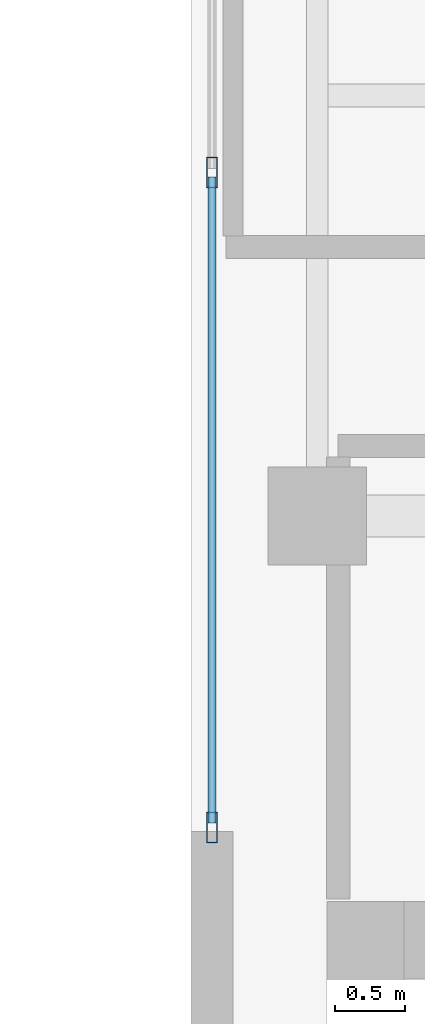
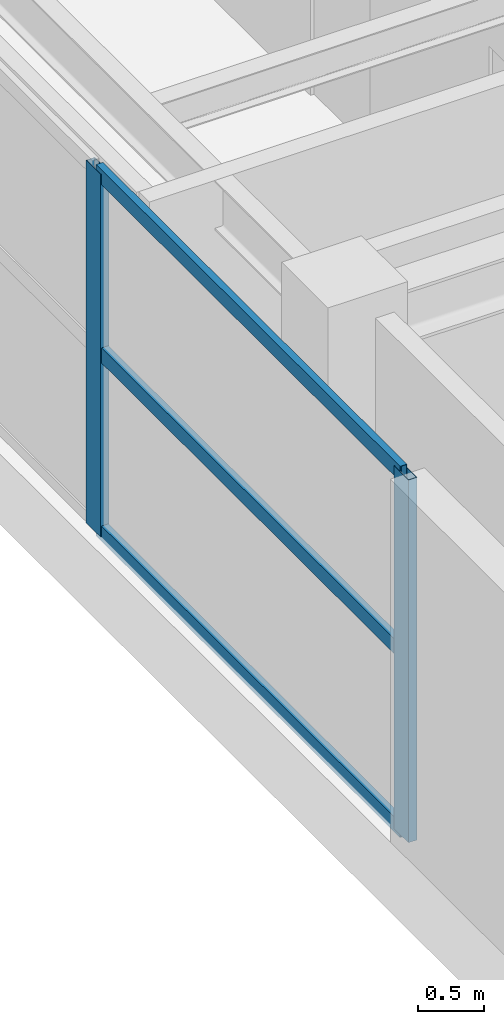
# One storey, part 10 of 24: 5 members, 1 element without a shape of its own.
"""IFC4 building model written with IfcOpenShell, lengths in metres."""

from ifc_helpers import new_model, si_unit, direction, frame, origin, origin_2d, place, context, subcontext, project, spatial, hollow_rectangle, extrude, source, transform, mapped, material, layer, layer_set, material_profile, profile_set, type_object, element, aggregate, save


model = new_model("IFC4")

# Units and contexts
model_context = context("Model", 3, precision=1e-05, world=origin(), true_north=direction((0.0, 1.0)))
body_context = subcontext(model_context, "Body", "Model", "MODEL_VIEW")
ifc_project = project(units=[si_unit("LENGTHUNIT", "METRE"), si_unit("AREAUNIT", "SQUARE_METRE"), si_unit("VOLUMEUNIT", "CUBIC_METRE"), si_unit("PLANEANGLEUNIT", "RADIAN"), si_unit("MASSUNIT", "GRAM", prefix="KILO")], contexts=[model_context])

# Site, building, storey
site_placement = place(None, origin())
site = spatial("IfcSite", under=ifc_project, at=site_placement, CompositionType="ELEMENT")
building_placement = place(site_placement, origin())
building = spatial("IfcBuilding", under=site, at=building_placement, Name="Khoralis Quay Care Tower", CompositionType="ELEMENT")
storey_placement = place(building_placement, frame((0.0, 0.0, 227.699951171875)))
storey = spatial("IfcBuildingStorey", under=building, at=storey_placement, Name="L59", CompositionType="ELEMENT", Elevation=227.699951171875)

# Curtain wall, members
ifc_material = material(Name="Pale anodised aluminium", Category="aluminium")
ifc_layer = layer(ifc_material, 0.18994140625)
ifc_layer_set = layer_set([ifc_layer], Name="Pale anodised aluminium")
curtain_wall_type = type_object("IfcCurtainWallType", Name="CW-SYS-PORTAL", PredefinedType="NOTDEFINED", material=ifc_layer_set)
curtain_wall_placement = place(storey_placement, origin())
curtain_wall = element("IfcCurtainWall", 1, at=curtain_wall_placement, inside=storey, type_object=curtain_wall_type, Name="L59 Unitised Curtain Wall CW-VP-L59-P2-N", PredefinedType="NOTDEFINED")
ifc_material_profile_1 = material_profile(ifc_material, hollow_rectangle(XDim=0.06005859375, YDim=0.139892578125, WallThickness=0.00390625, at=origin_2d()), Name="Pale anodised aluminium")
ifc_profile_set_1 = profile_set([ifc_material_profile_1], Name="Pale anodised aluminium")
member_type_1 = type_object("IfcMemberType", Name="CW-TRN-140", PredefinedType="USERDEFINED", material=ifc_profile_set_1)
shared_shape_1 = source(origin(), body_context, "Body", "SweptSolid", [
    extrude(hollow_rectangle(XDim=0.06005859375, YDim=0.139892578125, WallThickness=0.00390625, at=origin_2d()), origin(), (0.0, 0.0, 1.0), 4.60986328125),
])
member_1_placement = place(storey_placement, frame((30.14990234375, 27.81005859375, 0.030029296875), z_axis=(0.0, 1.0, 0.0), x_axis=(-1.0, 0.0, 0.0)))
member_1 = element("IfcMember", 2, at=member_1_placement, type_object=member_type_1, Name="CW4 transom 1.1", ObjectType="TRANSOM", PredefinedType="USERDEFINED", context=body_context, shape_type="MappedRepresentation", body=[
    mapped(shared_shape_1, transform((0.0, 0.0, 0.0), scale=1.0)),
])
member_2_placement = place(storey_placement, frame((30.14990234375, 27.81005859375, 1.679931640625), z_axis=(0.0, 1.0, 0.0), x_axis=(-1.0, 0.0, 0.0)))
member_2 = element("IfcMember", 3, at=member_2_placement, type_object=member_type_1, Name="CW4 transom 1.2", ObjectType="TRANSOM", PredefinedType="USERDEFINED", context=body_context, shape_type="MappedRepresentation", body=[
    mapped(shared_shape_1, transform((0.0, 0.0, 0.0), scale=1.0)),
])
member_3_placement = place(storey_placement, frame((30.14990234375, 27.81005859375, 3.330078125), z_axis=(0.0, 1.0, 0.0), x_axis=(-1.0, 0.0, 0.0)))
member_3 = element("IfcMember", 4, at=member_3_placement, type_object=member_type_1, Name="CW4 transom 1.3", ObjectType="TRANSOM", PredefinedType="USERDEFINED", context=body_context, shape_type="MappedRepresentation", body=[
    mapped(shared_shape_1, transform((0.0, 0.0, 0.0), scale=1.0)),
])
ifc_material_profile_2 = material_profile(ifc_material, hollow_rectangle(XDim=0.074951171875, YDim=0.219970703125, WallThickness=0.00390625, at=origin_2d()), Name="Pale anodised aluminium")
ifc_profile_set_2 = profile_set([ifc_material_profile_2], Name="Pale anodised aluminium")
member_type_2 = type_object("IfcMemberType", Name="CW-MUL-220", PredefinedType="MULLION", material=ifc_profile_set_2)
shared_shape_2 = source(origin(), body_context, "Body", "SweptSolid", [
    extrude(hollow_rectangle(XDim=0.074951171875, YDim=0.219970703125, WallThickness=0.00390625, at=origin_2d()), origin(), (0.0, 0.0, 1.0), 3.360107421875),
])
member_4_placement = place(storey_placement, frame((30.14990234375, 27.780029296875, 0.0), z_axis=(0.0, 0.0, 1.0), x_axis=(-1.0, 0.0, 0.0)))
member_4 = element("IfcMember", 5, at=member_4_placement, type_object=member_type_2, Name="CW4 mullion 1", PredefinedType="MULLION", context=body_context, shape_type="MappedRepresentation", body=[
    mapped(shared_shape_2, transform((0.0, 0.0, 0.0), scale=1.0)),
])
member_5_placement = place(storey_placement, frame((30.14990234375, 32.449951171875, 0.0), z_axis=(0.0, 0.0, 1.0), x_axis=(-1.0, 0.0, 0.0)))
member_5 = element("IfcMember", 6, at=member_5_placement, type_object=member_type_2, Name="CW4 mullion 2", PredefinedType="MULLION", context=body_context, shape_type="MappedRepresentation", body=[
    mapped(shared_shape_2, transform((0.0, 0.0, 0.0), scale=1.0)),
])
aggregate(curtain_wall, [member_4, member_5, member_1, member_2, member_3])

save(model, "model.ifc")
